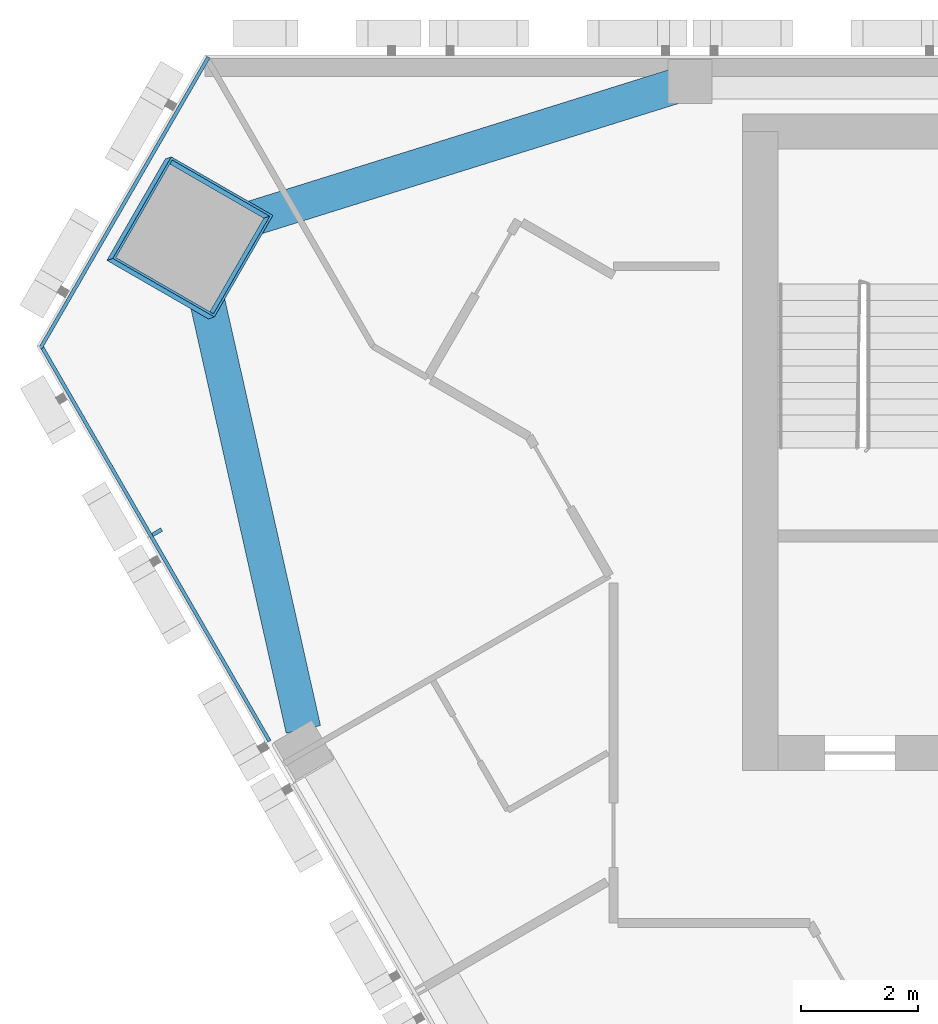
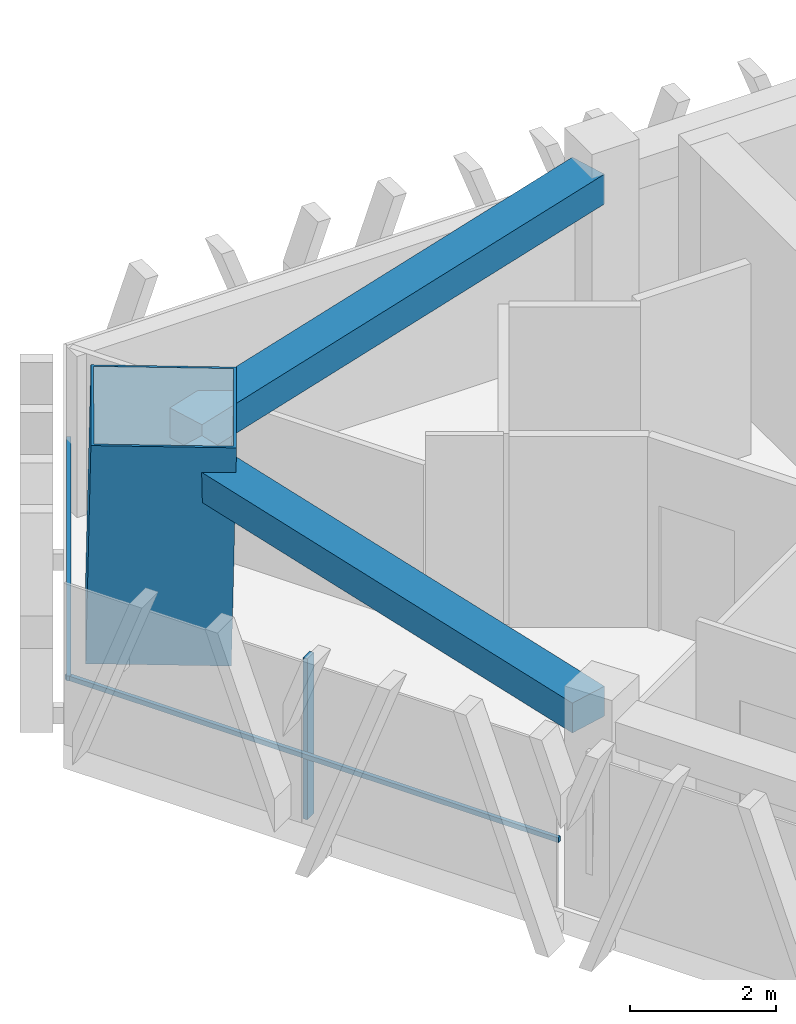
# One storey, part 5 of 14: 4 members, 2 beams, 2 elements without a shape of their own.
"""IFC4 building model written with IfcOpenShell, lengths in metres."""

from ifc_helpers import new_model, si_unit, direction, frame, origin, origin_2d, place, context, subcontext, project, spatial, rectangle, hollow_rectangle, extrude, material, layer, layer_set, material_profile, profile_set, type_object, element, aggregate, save


model = new_model("IFC4")

# Units and contexts
model_context = context("Model", 3, precision=1e-05, world=origin(), true_north=direction((0.0, 1.0)))
body_context = subcontext(model_context, "Body", "Model", "MODEL_VIEW")
ifc_project = project(units=[si_unit("LENGTHUNIT", "METRE"), si_unit("AREAUNIT", "SQUARE_METRE"), si_unit("VOLUMEUNIT", "CUBIC_METRE"), si_unit("PLANEANGLEUNIT", "RADIAN"), si_unit("MASSUNIT", "GRAM", prefix="KILO")], contexts=[model_context])

# Site, building, storey
site_placement = place(None, origin())
site = spatial("IfcSite", under=ifc_project, at=site_placement, CompositionType="ELEMENT")
building_placement = place(site_placement, origin())
building = spatial("IfcBuilding", under=site, at=building_placement, Name="Altiplano Prism Tower", CompositionType="ELEMENT")
storey_placement = place(building_placement, frame((0.0, 0.0, 226.60009765625)))
storey = spatial("IfcBuildingStorey", under=building, at=storey_placement, Name="L58", CompositionType="ELEMENT", Elevation=226.60009765625)

# Curtain wall, member
ifc_material_1 = material(Name="Aluminium and glass", Category="aluminium")
ifc_layer = layer(ifc_material_1, 0.280029296875)
ifc_layer_set = layer_set([ifc_layer], Name="Aluminium and glass")
curtain_wall_type = type_object("IfcCurtainWallType", Name="CW1 typical co-living unitised curtain wall", PredefinedType="NOTDEFINED", material=ifc_layer_set)
curtain_wall_1_placement = place(storey_placement, origin())
curtain_wall_1 = element("IfcCurtainWall", 1, at=curtain_wall_1_placement, inside=storey, type_object=curtain_wall_type, Name="CW1 curtain wall south-west face L58", PredefinedType="NOTDEFINED")
ifc_material_2 = material(Name="Aluminium", Category="aluminium")
ifc_material_profile_1 = material_profile(ifc_material_2, rectangle(XDim=0.179931640625, YDim=0.06494140625, at=origin_2d()), Name="CW1 mullion 65 x 180")
ifc_profile_set_1 = profile_set([ifc_material_profile_1], Name="Aluminium")
member_type_1 = type_object("IfcMemberType", Name="CW1 mullion 65 x 180", PredefinedType="MULLION", material=ifc_profile_set_1)
member_1_placement = place(storey_placement, frame((62.4130859375, 96.864990234375, 0.0), z_axis=(0.0, 0.0, 1.0), x_axis=(0.866025401725, 0.500000003567, 0.0)))
member_1 = element("IfcMember", 2, at=member_1_placement, type_object=member_type_1, Name="CW1 mullion", PredefinedType="MULLION", context=body_context, shape_type="SweptSolid", body=[
    extrude(rectangle(XDim=0.179931640625, YDim=0.06494140625, at=origin_2d()), origin(), (0.0, 0.0, 1.0), 2.699951171875),
])

curtain_wall_2_placement = place(storey_placement, origin())
curtain_wall_2 = element("IfcCurtainWall", 3, at=curtain_wall_2_placement, inside=storey, type_object=curtain_wall_type, Name="CW1 curtain wall north-west chamfer L58", PredefinedType="NOTDEFINED")
ifc_material_profile_2 = material_profile(ifc_material_2, rectangle(XDim=0.06005859375, YDim=0.080078125, at=origin_2d()), Name="CW1 transom 80 x 60")
ifc_profile_set_2 = profile_set([ifc_material_profile_2], Name="Aluminium")
member_type_2 = type_object("IfcMemberType", Name="CW1 transom 80 x 60", PredefinedType="USERDEFINED", material=ifc_profile_set_2)
member_2_placement = place(storey_placement, frame((63.2900390625, 104.965087890625, 1.099853515625), z_axis=(-0.499986657325, -0.866033107044, 0.0), x_axis=(0.866033107044, -0.499986657325, 0.0)))
member_2 = element("IfcMember", 4, at=member_2_placement, type_object=member_type_2, Name="CW1 transom", ObjectType="TRANSOM", PredefinedType="USERDEFINED", context=body_context, shape_type="SweptSolid", body=[
    extrude(rectangle(XDim=0.06005859375, YDim=0.080078125, at=origin_2d()), origin(), (0.0, 0.0, 1.0), 5.732666015625),
])
aggregate(curtain_wall_2, [member_2])

# Member
member_3_placement = place(storey_placement, frame((60.423828125, 100.070556640625, 1.099853515625), z_axis=(0.499985626237, -0.866033702321, 0.0), x_axis=(0.866033702321, 0.499985626237, 0.0)))
member_3 = element("IfcMember", 5, at=member_3_placement, type_object=member_type_2, Name="CW1 transom", ObjectType="TRANSOM", PredefinedType="USERDEFINED", context=body_context, shape_type="SweptSolid", body=[
    extrude(rectangle(XDim=0.06005859375, YDim=0.080078125, at=origin_2d()), origin(), (0.0, 0.0, 1.0), 7.816162109375),
])

aggregate(curtain_wall_1, [member_1, member_3])

# Beams
ifc_material_3 = material(Name="Concrete C60/75", Category="concrete")
ifc_material_profile_3 = material_profile(ifc_material_3, rectangle(XDim=0.60009765625, YDim=0.5, at=origin_2d()), Name="Edge beam 600x500")
ifc_profile_set_3 = profile_set([ifc_material_profile_3], Name="Concrete C60/75")
beam_type = type_object("IfcBeamType", Name="Edge beam 600x500", PredefinedType="SPANDREL", material=ifc_profile_set_3)
for number, where, z_axis, x_axis, name in (
    (6, (71.239501953125, 104.468505859375, 2.949951171875), (-0.954476782576, -0.298285218412, 0.0), (0.298285218412, -0.954476782576, 0.0), "Edge beam P04-M0 L59"),
    (7, (63.122802734375, 101.4619140625, 2.949951171875), (0.218907500739, -0.975745615476, 0.0), (0.975745615476, 0.218907500739, 0.0), "Edge beam M0-P11 L59"),
):
    element("IfcBeam", number, at=place(storey_placement, frame(where, z_axis=z_axis, x_axis=x_axis)), inside=storey, type_object=beam_type, Name=name, PredefinedType="SPANDREL", context=body_context, shape_type="SweptSolid", body=[
        extrude(rectangle(XDim=0.60009765625, YDim=0.5, at=origin_2d()), origin(), (0.0, 0.0, 1.0), 8.156982421875),
    ])

# Member
ifc_material_4 = material(Name="Steel S460", Category="steel")
ifc_material_profile_4 = material_profile(ifc_material_4, hollow_rectangle(XDim=2.0, YDim=2.0, WallThickness=0.0400390625, at=origin_2d()), Name="Mega column tube 2000")
ifc_profile_set_4 = profile_set([ifc_material_profile_4], Name="Steel S460")
member_type_3 = type_object("IfcMemberType", Name="Mega column tube 2000", PredefinedType="POST", material=ifc_profile_set_4)
member_4_placement = place(storey_placement, frame((62.922119140625, 101.86767578125, 0.0), z_axis=(0.028403721265, 0.009287135593, 0.999553389135), x_axis=(-0.866201877506, 0.49929479911, 0.019975259356)))
element("IfcMember", 8, at=member_4_placement, inside=storey, type_object=member_type_3, Name="Mega column tube M0 L58", PredefinedType="POST", context=body_context, shape_type="SweptSolid", body=[
    extrude(hollow_rectangle(XDim=2.0, YDim=2.0, WallThickness=0.0400390625, at=origin_2d()), origin(), (0.0, 0.0, 1.0), 3.6015625),
])

save(model, "model.ifc")
